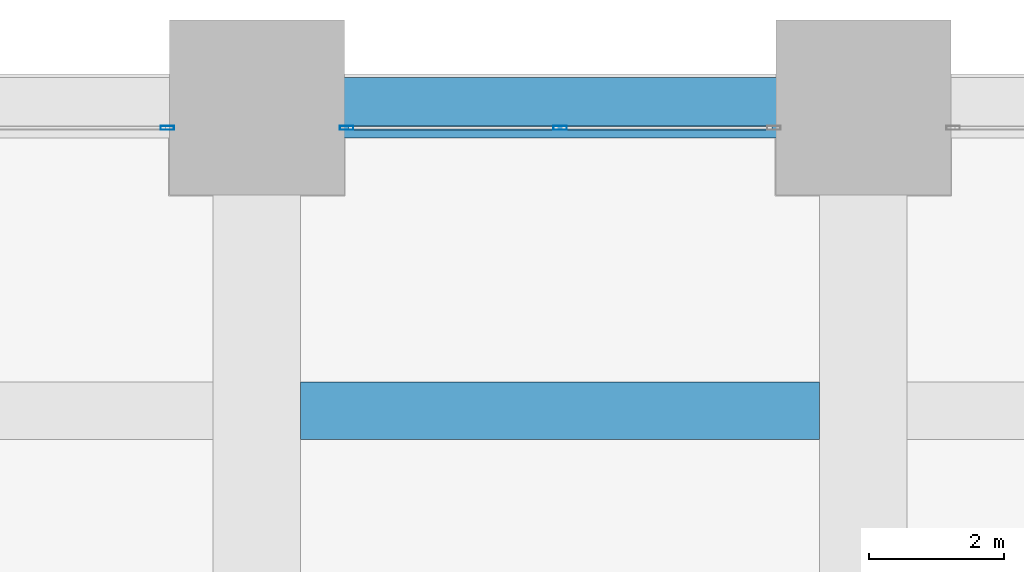
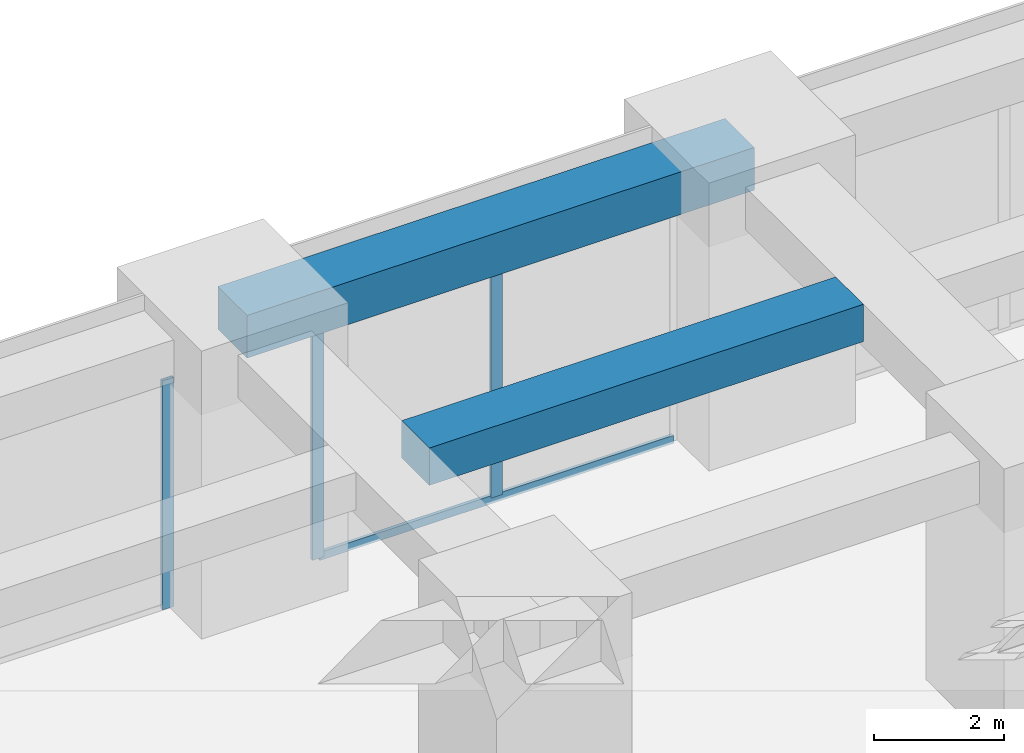
# One storey, part 25 of 45: 4 members, 2 beams, 2 elements without a shape of their own.
"""IFC4 building model written with IfcOpenShell, lengths in metres."""

import ifcopenshell
import ifcopenshell.guid

model = None  # the IFC model being written
_history = None  # IfcOwnerHistory: only IFC2X3 demands one
_inside = {}  # id of a spatial element -> (the spatial element, [elements in it])
_under = {}  # id of a project, library or spatial element -> (it, [spatial elements below it])
_declared = {}  # id of a project -> (the project, [libraries it declares])
_typed = {}  # id of a type object -> (the type object, [elements of that type])
_made_of = {}  # id of a material, layer set ... -> (it, [elements and type objects made of it])


def new_model(schema):
    """Start an empty IFC model of exactly this schema.

    Asked for "IFC4X3", IfcOpenShell would pick the latest addendum, in which some entities
    have other attributes; the version numbers below select the first issue.
    IFC2X3 requires an IfcOwnerHistory on every rooted entity: one is made here for all.
    """
    global model, _history
    if schema == "IFC4X3":
        model = ifcopenshell.file(schema_version=(4, 3, 0, 0))
    else:
        model = ifcopenshell.file(schema=schema)
    _inside.clear()
    _under.clear()
    _declared.clear()
    _typed.clear()
    _made_of.clear()
    _history = None
    if model.schema == "IFC2X3":
        org = make("IfcOrganization", Name="unknown")
        user = make(
            "IfcPersonAndOrganization",
            ThePerson=make("IfcPerson", FamilyName="unknown"),
            TheOrganization=org,
        )
        app = make(
            "IfcApplication",
            ApplicationDeveloper=org,
            Version="unknown",
            ApplicationFullName="unknown",
            ApplicationIdentifier="unknown",
        )
        _history = make(
            "IfcOwnerHistory",
            OwningUser=user,
            OwningApplication=app,
            ChangeAction="ADDED",
            CreationDate=0,
        )
    return model


def make(cls, **values):
    """One entity of the class cls with the attributes given. An attribute that is None is left unset."""
    return model.create_entity(
        cls, **{name: value for name, value in values.items() if value is not None}
    )


def rooted(cls, **values):
    """An entity with a GlobalId (a new one), such as an element, a storey or a relation."""
    return make(cls, GlobalId=ifcopenshell.guid.new(), OwnerHistory=_history, **values)


def si_unit(unit_type, name, prefix=None):
    """IfcSIUnit, for example si_unit("LENGTHUNIT", "METRE", prefix="MILLI")."""
    return make("IfcSIUnit", UnitType=unit_type, Prefix=prefix, Name=name)


def assignment(units):
    """IfcUnitAssignment: the units of a project."""
    return None if units is None else make("IfcUnitAssignment", Units=units)


def point(xyz):
    """IfcCartesianPoint."""
    return None if xyz is None else make("IfcCartesianPoint", Coordinates=xyz)


def direction(xyz):
    """IfcDirection."""
    return None if xyz is None else make("IfcDirection", DirectionRatios=xyz)


def frame(location, z_axis=None, x_axis=None):
    """IfcAxis2Placement3D, a coordinate frame: its origin and axes. An axis left out is left unset."""
    return make(
        "IfcAxis2Placement3D",
        Location=point(location),
        Axis=direction(z_axis),
        RefDirection=direction(x_axis),
    )


def frame_2d(location, x_axis=None):
    """IfcAxis2Placement2D, a coordinate frame in the plane: its origin and x axis."""
    return make(
        "IfcAxis2Placement2D", Location=point(location), RefDirection=direction(x_axis)
    )


def origin():
    """The frame at (0, 0, 0) with its axes left unset."""
    return frame((0.0, 0.0, 0.0))


def origin_2d():
    """The frame at (0, 0) in the plane with its x axis left unset."""
    return frame_2d((0.0, 0.0))


def place(relative_to, where):
    """IfcLocalPlacement: puts the frame where relative to a parent placement (None: the world)."""
    return make(
        "IfcLocalPlacement", PlacementRelTo=relative_to, RelativePlacement=where
    )


def context(
    kind, dimensions, precision=None, world=None, true_north=None, identifier=None
):
    """IfcGeometricRepresentationContext, for example the 3D "Model" context."""
    return make(
        "IfcGeometricRepresentationContext",
        ContextIdentifier=identifier,
        ContextType=kind,
        CoordinateSpaceDimension=dimensions,
        Precision=precision,
        WorldCoordinateSystem=world,
        TrueNorth=true_north,
    )


def subcontext(parent, identifier, kind, view, scale=None):
    """IfcGeometricRepresentationSubContext, for example "Body" below "Model"."""
    return make(
        "IfcGeometricRepresentationSubContext",
        ContextIdentifier=identifier,
        ContextType=kind,
        ParentContext=parent,
        TargetScale=scale,
        TargetView=view,
    )


def project(units=None, contexts=None):
    """IfcProject with its units and contexts."""
    return rooted(
        "IfcProject",
        Name="project",
        RepresentationContexts=contexts,
        UnitsInContext=assignment(units),
    )


def spatial(cls, under=None, at=None, **own):
    """A site, building, storey or space (cls), placed at a placement, below another one or the project."""
    s = rooted(cls, ObjectPlacement=at, **own)
    if under is not None:
        _under.setdefault(under.id(), (under, []))[1].append(s)
    return s


def profile(cls, at=None, kind="AREA", **sizes):
    """A parametric profile (cls). Its sizes go by their IFC names, for example OverallWidth=200.0."""
    return make(cls, ProfileType=kind, Position=at, **sizes)


def rectangle(**sizes):
    """IfcRectangleProfileDef."""
    return profile("IfcRectangleProfileDef", **sizes)


def hollow_rectangle(**sizes):
    """IfcRectangleHollowProfileDef."""
    return profile("IfcRectangleHollowProfileDef", **sizes)


def extrude(swept, where, along, depth):
    """IfcExtrudedAreaSolid: the profile swept, set in the frame where, extruded along a direction by depth."""
    return make(
        "IfcExtrudedAreaSolid",
        SweptArea=swept,
        Position=where,
        ExtrudedDirection=direction(along),
        Depth=depth,
    )


def shape(context_of_items, identifier, shape_type, items):
    """IfcShapeRepresentation: the items that make up one representation, for example the "Body"."""
    return make(
        "IfcShapeRepresentation",
        ContextOfItems=context_of_items,
        RepresentationIdentifier=identifier,
        RepresentationType=shape_type,
        Items=items,
    )


def material(Name=None, Category=None):
    """IfcMaterial."""
    return make("IfcMaterial", Name=Name, Category=Category)


def material_profile(
    of_material, cross_section, Name=None, Category=None, Priority=None
):
    """IfcMaterialProfile: a cross section and its material."""
    return make(
        "IfcMaterialProfile",
        Name=Name,
        Material=of_material,
        Profile=cross_section,
        Priority=Priority,
        Category=Category,
    )


def profile_set(profiles, Name=None, composite=None):
    """IfcMaterialProfileSet."""
    return make(
        "IfcMaterialProfileSet",
        Name=Name,
        MaterialProfiles=profiles,
        CompositeProfile=composite,
    )


def made_of(thing, what):
    """Note that an element or type object is made of a material, layer set ...; save() writes the relation."""
    if what is not None:
        _made_of.setdefault(what.id(), (what, []))[1].append(thing)
    return thing


def type_object(cls, material=None, **own):
    """A type object (cls), such as IfcWallType, which elements share."""
    return made_of(rooted(cls, **own), material)


def element(
    cls,
    number,
    at=None,
    inside=None,
    cuts=None,
    type_object=None,
    material=None,
    context=None,
    identifier="Body",
    shape_type=None,
    held_by="IfcProductDefinitionShape",
    body=None,
    shapes=None,
    **own,
):
    """One element of the class cls, such as IfcWall. Its Tag is "e" and its number.

    at: its placement. inside: the storey or other place that contains it. cuts: it is an
    opening in that element (IfcRelVoidsElement). A single representation is given by context,
    identifier, shape_type and body (its items); several are given by shapes. held_by: the class
    of the entity that holds the representations. save() writes the other relations.
    """
    e = rooted(cls, Tag="e%d" % number, ObjectPlacement=at, **own)
    if body is not None:
        shapes = [shape(context, identifier, shape_type, body)]
    if shapes is not None:
        e.Representation = make(held_by, Representations=shapes)
    if inside is not None:
        _inside.setdefault(inside.id(), (inside, []))[1].append(e)
    if cuts is not None:
        rooted(
            "IfcRelVoidsElement", RelatingBuildingElement=cuts, RelatedOpeningElement=e
        )
    if type_object is not None:
        _typed.setdefault(type_object.id(), (type_object, []))[1].append(e)
    return made_of(e, material)


def aggregate(whole, parts):
    """IfcRelAggregates: a whole, such as a stair, and the parts it consists of."""
    return rooted("IfcRelAggregates", RelatingObject=whole, RelatedObjects=parts)


def save(model, path):
    """Write the relations noted so far, then the file.

    IfcRelAggregates (storeys below a building ...), IfcRelContainedInSpatialStructure (elements
    in a storey), IfcRelDefinesByType, IfcRelAssociatesMaterial and IfcRelDeclares: one each for
    every whole, place, type object, material and project.
    """
    for whole, parts in _under.values():
        aggregate(whole, parts)
    for where, things in _inside.values():
        rooted(
            "IfcRelContainedInSpatialStructure",
            RelatedElements=things,
            RelatingStructure=where,
        )
    for kind, things in _typed.values():
        rooted("IfcRelDefinesByType", RelatedObjects=things, RelatingType=kind)
    for what, things in _made_of.values():
        rooted("IfcRelAssociatesMaterial", RelatedObjects=things, RelatingMaterial=what)
    for by, libraries in _declared.values():
        rooted("IfcRelDeclares", RelatingContext=by, RelatedDefinitions=libraries)
    model.write(path)


model = new_model("IFC4")

# Units and contexts
model_context = context("Model", 3, precision=1e-05, world=origin(), true_north=direction((0.0, 1.0)))
body_context = subcontext(model_context, "Body", "Model", "MODEL_VIEW")
ifc_project = project(units=[si_unit("LENGTHUNIT", "METRE"), si_unit("AREAUNIT", "SQUARE_METRE"), si_unit("VOLUMEUNIT", "CUBIC_METRE"), si_unit("PLANEANGLEUNIT", "RADIAN"), si_unit("MASSUNIT", "GRAM", prefix="KILO")], contexts=[model_context])

# Site, building, storey
site_placement = place(None, origin())
site = spatial("IfcSite", under=ifc_project, at=site_placement, CompositionType="ELEMENT")
building_placement = place(site_placement, origin())
building = spatial("IfcBuilding", under=site, at=building_placement, Name="Zorevar Civic Tower", CompositionType="ELEMENT")
storey_placement = place(building_placement, frame((0.0, 0.0, 5.39990234375)))
storey = spatial("IfcBuildingStorey", under=building, at=storey_placement, Name="L01", CompositionType="ELEMENT", Elevation=5.39990234375)

# Beam
ifc_material_1 = material(Name="Concrete C50/60", Category="concrete")
ifc_material_profile_1 = material_profile(ifc_material_1, rectangle(XDim=0.85009765625, YDim=0.699951171875, at=origin_2d()), Name="RC 850x700")
ifc_profile_set_1 = profile_set([ifc_material_profile_1], Name="Concrete C50/60")
beam_type_1 = type_object("IfcBeamType", Name="Beam RC 850x700", PredefinedType="BEAM", material=ifc_profile_set_1)
beam_1_placement = place(storey_placement, frame((18.64990234375, 49.5, 4.75), z_axis=(1.0, 0.0, 0.0), x_axis=(0.0, 1.0, 0.0)))
element("IfcBeam", 1, at=beam_1_placement, inside=storey, type_object=beam_type_1, Name="Secondary beam L02", PredefinedType="BEAM", context=body_context, shape_type="SweptSolid", body=[
    extrude(rectangle(XDim=0.85009765625, YDim=0.699951171875, at=origin_2d()), origin(), (0.0, 0.0, 1.0), 7.7001953125),
])

# Curtain wall, member
ifc_material_2 = material(Name="Dark grey solar-control glass in black aluminium frame", Category="aluminium")
curtain_wall_type = type_object("IfcCurtainWallType", Name="Curtain wall CW1 podium", PredefinedType="NOTDEFINED", material=ifc_material_2)
curtain_wall_1_placement = place(storey_placement, origin())
curtain_wall_1 = element("IfcCurtainWall", 2, at=curtain_wall_1_placement, inside=storey, type_object=curtain_wall_type, Name="CW1 L01", PredefinedType="NOTDEFINED")
ifc_material_3 = material(Name="Aluminium, black anodised", Category="aluminium")
ifc_material_profile_2 = material_profile(ifc_material_3, hollow_rectangle(XDim=0.06005859375, YDim=0.199951171875, WallThickness=0.00390625, at=origin_2d()), Name="AL 200x60x4")
ifc_profile_set_2 = profile_set([ifc_material_profile_2], Name="Aluminium, black anodised")
member_type_1 = type_object("IfcMemberType", Name="CW1 mullion AL 200x60x4", PredefinedType="MULLION", material=ifc_profile_set_2)
member_1_placement = place(storey_placement, frame((16.669921875, 53.699951171875, 0.0), z_axis=(0.0, 0.0, 1.0), x_axis=(0.0, 1.0, 0.0)))
member_1 = element("IfcMember", 3, at=member_1_placement, type_object=member_type_1, Name="CW1 mullion 3", PredefinedType="MULLION", context=body_context, shape_type="SweptSolid", body=[
    extrude(hollow_rectangle(XDim=0.06005859375, YDim=0.199951171875, WallThickness=0.00390625, at=origin_2d()), origin(), (0.0, 0.0, 1.0), 4.300048828125),
])
aggregate(curtain_wall_1, [member_1])

# Curtain wall, members
curtain_wall_2_placement = place(storey_placement, origin())
curtain_wall_2 = element("IfcCurtainWall", 4, at=curtain_wall_2_placement, inside=storey, type_object=curtain_wall_type, Name="CW1 L01", PredefinedType="NOTDEFINED")
member_2_placement = place(storey_placement, frame((19.330078125, 53.699951171875, 0.0), z_axis=(0.0, 0.0, 1.0), x_axis=(0.0, 1.0, 0.0)))
member_2 = element("IfcMember", 5, at=member_2_placement, type_object=member_type_1, Name="CW1 mullion 1", PredefinedType="MULLION", context=body_context, shape_type="SweptSolid", body=[
    extrude(hollow_rectangle(XDim=0.06005859375, YDim=0.199951171875, WallThickness=0.00390625, at=origin_2d()), origin(), (0.0, 0.0, 1.0), 4.300048828125),
])
member_3_placement = place(storey_placement, frame((22.5, 53.699951171875, 0.06005859375), z_axis=(0.0, 0.0, 1.0), x_axis=(0.0, 1.0, 0.0)))
member_3 = element("IfcMember", 6, at=member_3_placement, type_object=member_type_1, Name="CW1 mullion 2", PredefinedType="MULLION", context=body_context, shape_type="SweptSolid", body=[
    extrude(hollow_rectangle(XDim=0.06005859375, YDim=0.199951171875, WallThickness=0.00390625, at=origin_2d()), origin(), (0.0, 0.0, 1.0), 4.239990234375),
])
ifc_material_4 = material(Name="Aluminium, black anodised", Category="aluminium")
ifc_material_profile_3 = material_profile(ifc_material_4, hollow_rectangle(XDim=0.06005859375, YDim=0.14990234375, WallThickness=0.00390625, at=origin_2d()), Name="AL 150x60x4")
ifc_profile_set_3 = profile_set([ifc_material_profile_3], Name="Aluminium, black anodised")
member_type_2 = type_object("IfcMemberType", Name="CW1 transom AL 150x60x4", PredefinedType="USERDEFINED", material=ifc_profile_set_3)
member_4_placement = place(storey_placement, frame((19.360107421875, 53.699951171875, 0.030029296875), z_axis=(1.0, 0.0, 0.0), x_axis=(0.0, 1.0, 0.0)))
member_4 = element("IfcMember", 7, at=member_4_placement, type_object=member_type_2, Name="CW1 sill transom", ObjectType="TRANSOM", PredefinedType="USERDEFINED", context=body_context, shape_type="SweptSolid", body=[
    extrude(hollow_rectangle(XDim=0.06005859375, YDim=0.14990234375, WallThickness=0.00390625, at=origin_2d()), origin(), (0.0, 0.0, 1.0), 6.27978515625),
])
aggregate(curtain_wall_2, [member_2, member_3, member_4])

# Beam
ifc_material_5 = material(Name="Concrete C50/60", Category="concrete")
ifc_material_profile_4 = material_profile(ifc_material_5, rectangle(XDim=0.89990234375, YDim=0.800048828125, at=origin_2d()), Name="RC 900x800")
ifc_profile_set_4 = profile_set([ifc_material_profile_4], Name="Concrete C50/60")
beam_type_2 = type_object("IfcBeamType", Name="Edge beam RC 900x800", PredefinedType="SPANDREL", material=ifc_profile_set_4)
beam_2_placement = place(storey_placement, frame((18.0, 54.0, 4.7001953125), z_axis=(1.0, 0.0, 0.0), x_axis=(0.0, 1.0, 0.0)))
element("IfcBeam", 8, at=beam_2_placement, inside=storey, type_object=beam_type_2, Name="Edge beam L02", PredefinedType="SPANDREL", context=body_context, shape_type="SweptSolid", body=[
    extrude(rectangle(XDim=0.89990234375, YDim=0.800048828125, at=origin_2d()), origin(), (0.0, 0.0, 1.0), 9.0),
])

save(model, "model.ifc")
